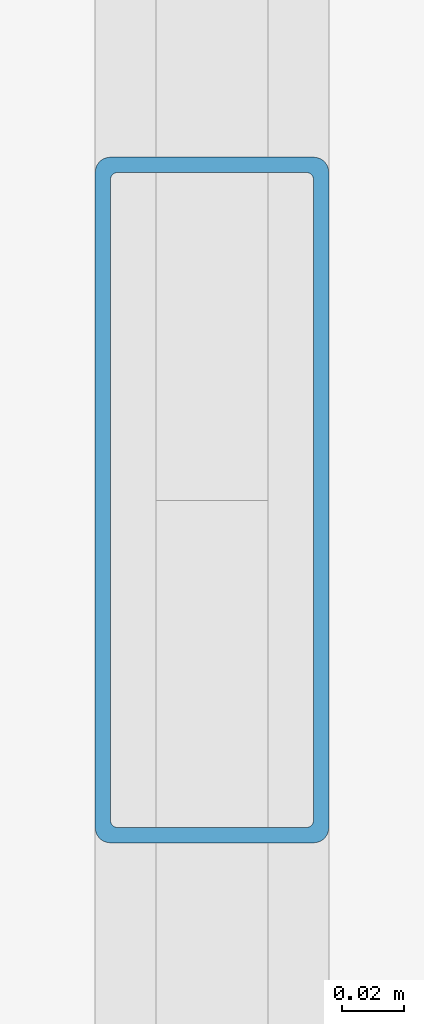
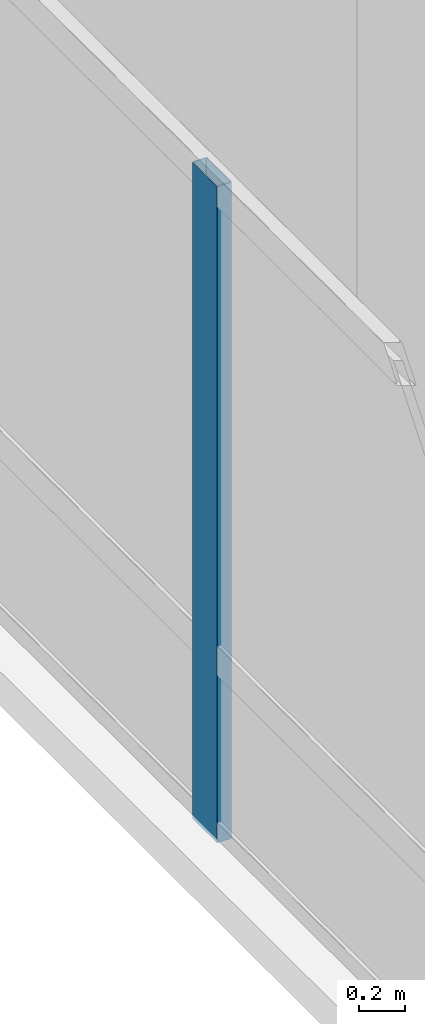
# One storey, part 4 of 17: 1 member, 1 element without a shape of its own.
"""IFC4 building model written with IfcOpenShell, lengths in metres."""

from ifc_helpers import new_model, si_unit, direction, frame, origin, origin_2d, place, context, subcontext, project, spatial, hollow_rectangle, extrude, material, material_profile, profile_set, type_object, element, aggregate, save


model = new_model("IFC4")

# Units and contexts
model_context = context("Model", 3, precision=1e-05, world=origin(), true_north=direction((0.0, 1.0)))
body_context = subcontext(model_context, "Body", "Model", "MODEL_VIEW")
ifc_project = project(units=[si_unit("LENGTHUNIT", "METRE"), si_unit("AREAUNIT", "SQUARE_METRE"), si_unit("VOLUMEUNIT", "CUBIC_METRE"), si_unit("PLANEANGLEUNIT", "RADIAN"), si_unit("MASSUNIT", "GRAM", prefix="KILO")], contexts=[model_context])

# Site, building, storey
site_placement = place(None, origin())
site = spatial("IfcSite", under=ifc_project, at=site_placement, CompositionType="ELEMENT")
building_placement = place(site_placement, origin())
building = spatial("IfcBuilding", under=site, at=building_placement, Name="Noeulbin Bourse Tower", CompositionType="ELEMENT")
storey_placement = place(building_placement, frame((0.0, 0.0, 300.800048828125)))
storey = spatial("IfcBuildingStorey", under=building, at=storey_placement, Name="L75", CompositionType="ELEMENT", Elevation=300.800048828125)

# Curtain wall, member
ifc_material_1 = material(Name="High-Selectivity Low-Iron Glazing", Category="glass")
curtain_wall_type = type_object("IfcCurtainWallType", Name="CW-SYS-4", PredefinedType="NOTDEFINED", material=ifc_material_1)
curtain_wall_placement = place(storey_placement, origin())
curtain_wall = element("IfcCurtainWall", 1, at=curtain_wall_placement, inside=storey, type_object=curtain_wall_type, Name="Unitised Curtain Wall CW-L75-W", PredefinedType="NOTDEFINED")
ifc_material_2 = material(Name="Anodised Aluminium 6063-T6", Category="aluminium")
ifc_material_profile = material_profile(ifc_material_2, hollow_rectangle(XDim=0.074951171875, YDim=0.219970703125, WallThickness=0.0048828125, InnerFilletRadius=0.00244140625, OuterFilletRadius=0.0048828125, at=origin_2d()), Name="ALU-MULL-75x220x5", Category="LoadBearing")
ifc_profile_set = profile_set([ifc_material_profile], Name="Anodised Aluminium 6063-T6")
member_type = type_object("IfcMemberType", Name="CW-SYS-4-MUL", PredefinedType="MULLION", material=ifc_profile_set)
member_placement = place(storey_placement, frame((12.219970703125, 28.97607421875, -0.02001953125), z_axis=(0.0, 0.0, 1.0), x_axis=(1.0, 0.0, 0.0)))
member = element("IfcMember", 2, at=member_placement, type_object=member_type, Name="Curtain Wall Mullion CW-L75-W-M02", PredefinedType="MULLION", context=body_context, shape_type="SweptSolid", body=[
    extrude(hollow_rectangle(XDim=0.074951171875, YDim=0.219970703125, WallThickness=0.0048828125, InnerFilletRadius=0.00244140625, OuterFilletRadius=0.0048828125, at=origin_2d()), origin(), (0.0, 0.0, 1.0), 3.5),
])
aggregate(curtain_wall, [member])

save(model, "model.ifc")
